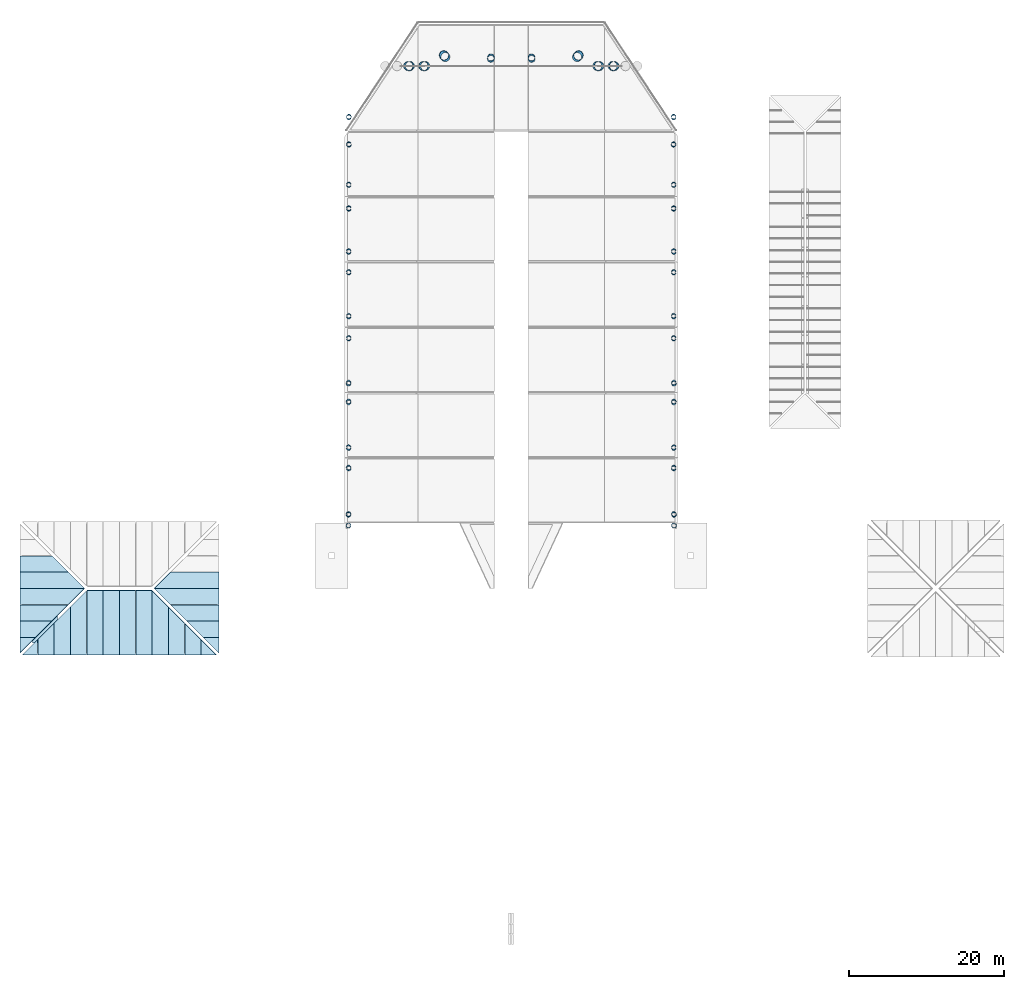
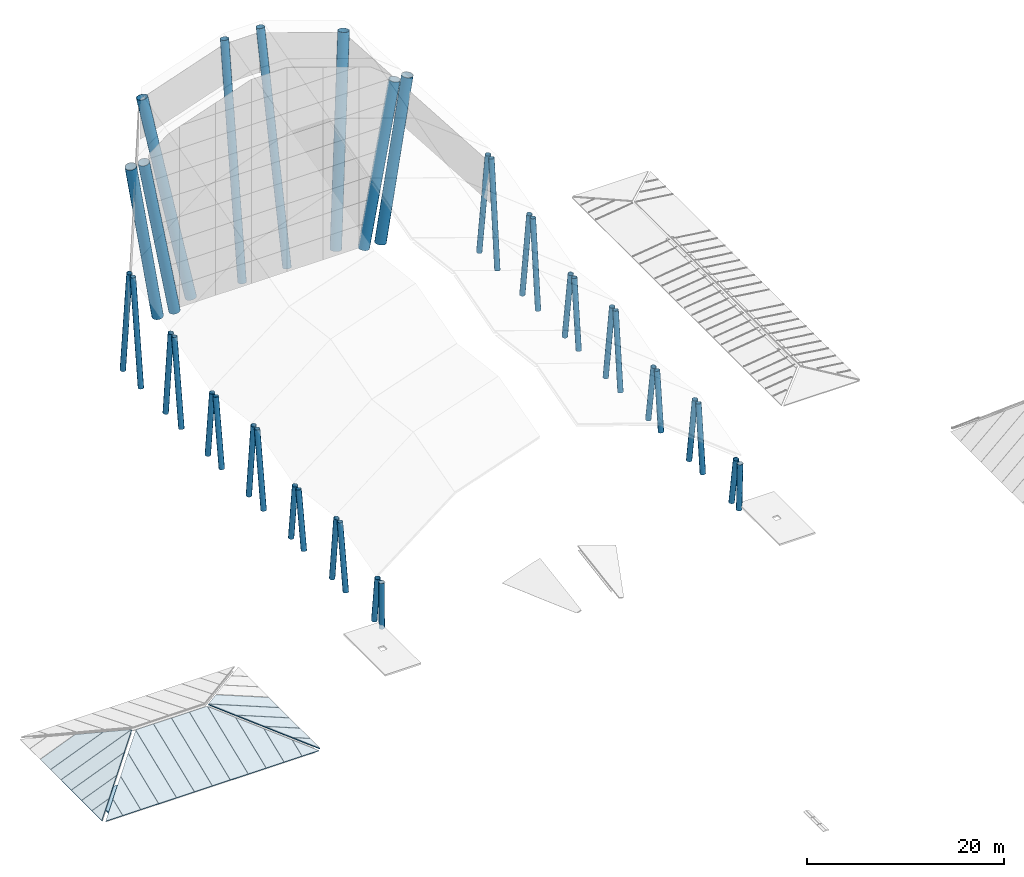
# One storey, part 1 of 8: 36 columns, 24 slabs.
"""IFC4 building model written with IfcOpenShell, lengths in metres."""

from ifc_helpers import new_model, si_unit, direction, frame, origin, origin_2d, place, context, subcontext, project, spatial, polyline, hollow_circle, outline, extrude, material, layer, layer_set, material_profile, profile_set, type_object, element, save


model = new_model("IFC4")

# Units and contexts
model_context = context("Model", 3, precision=1e-05, world=origin(), true_north=direction((0.0, 1.0)))
body_context = subcontext(model_context, "Body", "Model", "MODEL_VIEW")
ifc_project = project(units=[si_unit("LENGTHUNIT", "METRE"), si_unit("AREAUNIT", "SQUARE_METRE"), si_unit("VOLUMEUNIT", "CUBIC_METRE"), si_unit("PLANEANGLEUNIT", "RADIAN"), si_unit("MASSUNIT", "GRAM", prefix="KILO")], contexts=[model_context])

# Site, building, storey
site_placement = place(None, origin())
site = spatial("IfcSite", under=ifc_project, at=site_placement, CompositionType="ELEMENT")
building_placement = place(site_placement, origin())
building = spatial("IfcBuilding", under=site, at=building_placement, Name="Sava Quay Ferry Terminal", CompositionType="ELEMENT")
storey_placement = place(building_placement, frame((0.0, 0.0, 18.0)))
storey = spatial("IfcBuildingStorey", under=building, at=storey_placement, Name="ROOF", CompositionType="ELEMENT", Elevation=18.0)

# Columns
ifc_material_1 = material(Name="Steel S355", Category="steel")
ifc_material_profile_1 = material_profile(ifc_material_1, hollow_circle(Radius=0.609619140625, WallThickness=0.0400390625, at=origin_2d()), Name="CHS 1219 x 40.0")
ifc_profile_set_1 = profile_set([ifc_material_profile_1], Name="Steel S355")
column_type_1 = type_object("IfcColumnType", Name="V column CHS 1219x40", PredefinedType="COLUMN", material=ifc_profile_set_1)
column_1_placement = place(storey_placement, frame((49.9482421875, 109.199951171875, -0.35009765625), z_axis=(-0.158579048022, 0.0, 0.987346284506), x_axis=(0.0, -1.0, 0.0)))
element("IfcColumn", 1, at=column_1_placement, inside=storey, type_object=column_type_1, Name="Departure hall prow V column D-PV7H0a part 5", PredefinedType="COLUMN", context=body_context, shape_type="SweptSolid", body=[
    extrude(hollow_circle(Radius=0.609619140625, WallThickness=0.0400390625, at=origin_2d()), origin(), (0.0, 0.0, 1.0), 19.866455078125),
])
for number, where, z_axis, x_axis, name in (
    (2, (51.914794921875, 109.199951171875, -0.35009765625), (-0.180416108092, 0.0, 0.983590376092), (0.0, -1.0, 0.0), "Departure hall prow V column D-PV7H0b part 5"),
    (3, (74.085205078125, 109.199951171875, -0.35009765625), (0.180416108092, 0.0, 0.983590376092), (0.0, 1.0, 0.0), "Departure hall prow V column D-PV7H1a part 5"),
):
    element("IfcColumn", number, at=place(storey_placement, frame(where, z_axis=z_axis, x_axis=x_axis)), inside=storey, type_object=column_type_1, Name=name, PredefinedType="COLUMN", context=body_context, shape_type="SweptSolid", body=[
        extrude(hollow_circle(Radius=0.609619140625, WallThickness=0.0400390625, at=origin_2d()), origin(), (0.0, 0.0, 1.0), 19.942138671875),
    ])
column_2_placement = place(storey_placement, frame((76.0517578125, 109.199951171875, -0.35009765625), z_axis=(0.158579048022, 0.0, 0.987346284506), x_axis=(0.0, 1.0, 0.0)))
element("IfcColumn", 4, at=column_2_placement, inside=storey, type_object=column_type_1, Name="Departure hall prow V column D-PV7H1b part 5", PredefinedType="COLUMN", context=body_context, shape_type="SweptSolid", body=[
    extrude(hollow_circle(Radius=0.609619140625, WallThickness=0.0400390625, at=origin_2d()), origin(), (0.0, 0.0, 1.0), 19.866455078125),
])
for number, where, z_axis, x_axis, name in (
    (5, (54.510498046875, 110.3671875, -0.35009765625), (-0.138035982833, 0.17283949322, 0.97522949967), (-0.781388136646, -0.624045334819, 0.0), "Departure hall prow V column D-PVTa part 5"),
    (6, (71.489501953125, 110.3671875, -0.35009765625), (0.138035982833, 0.17283949322, 0.97522949967), (-0.781388136646, 0.624045334819, 0.0), "Departure hall prow V column D-PVTb part 5"),
):
    element("IfcColumn", number, at=place(storey_placement, frame(where, z_axis=z_axis, x_axis=x_axis)), inside=storey, type_object=column_type_1, Name=name, PredefinedType="COLUMN", context=body_context, shape_type="SweptSolid", body=[
        extrude(hollow_circle(Radius=0.609619140625, WallThickness=0.0400390625, at=origin_2d()), origin(), (0.0, 0.0, 1.0), 24.039794921875),
    ])
ifc_material_2 = material(Name="Steel S355", Category="steel")
ifc_material_profile_2 = material_profile(ifc_material_2, hollow_circle(Radius=0.304931640625, WallThickness=0.02001953125, at=origin_2d()), Name="CHS 610 x 20.0")
ifc_profile_set_2 = profile_set([ifc_material_profile_2], Name="Steel S355")
column_type_2 = type_object("IfcColumnType", Name="V column CHS 610x20", PredefinedType="COLUMN", material=ifc_profile_set_2)
column_3_placement = place(storey_placement, frame((42.069580078125, 50.079833984375, -0.35009765625), z_axis=(-0.012098278874, -0.016852690221, 0.999784786082), x_axis=(0.812348589299, -0.583172161084, 0.0)))
element("IfcColumn", 7, at=column_3_placement, inside=storey, type_object=column_type_2, Name="Departure hall V column D-VL0a part 5", PredefinedType="COLUMN", context=body_context, shape_type="SweptSolid", body=[
    extrude(hollow_circle(Radius=0.304931640625, WallThickness=0.02001953125, at=origin_2d()), origin(), (0.0, 0.0, 1.0), 5.751220703125),
])
column_4_placement = place(storey_placement, frame((42.069580078125, 51.60302734375, -0.35009765625), z_axis=(-0.011988487769, -0.13544887936, 0.990711803322), x_axis=(0.996105914947, -0.088164653963, 0.0)))
element("IfcColumn", 8, at=column_4_placement, inside=storey, type_object=column_type_2, Name="Departure hall V column D-VL0b part 5", PredefinedType="COLUMN", context=body_context, shape_type="SweptSolid", body=[
    extrude(hollow_circle(Radius=0.304931640625, WallThickness=0.02001953125, at=origin_2d()), origin(), (0.0, 0.0, 1.0), 5.803955078125),
])
for number, where, z_axis, x_axis, name in (
    (9, (42.08984375, 57.413330078125, -0.35009765625), (-0.010993003042, 0.12600132291, 0.991969163084), (-0.996215732704, -0.086914980947, 0.0), "Departure hall V column D-VL1a part 5"),
    (10, (42.08984375, 60.186767578125, -0.35009765625), (-0.010993003042, -0.12600132291, 0.991969163084), (0.996215732704, -0.086914980947, 0.0), "Departure hall V column D-VL1b part 5"),
):
    element("IfcColumn", number, at=place(storey_placement, frame(where, z_axis=z_axis, x_axis=x_axis)), inside=storey, type_object=column_type_2, Name=name, PredefinedType="COLUMN", context=body_context, shape_type="SweptSolid", body=[
        extrude(hollow_circle(Radius=0.304931640625, WallThickness=0.02001953125, at=origin_2d()), origin(), (0.0, 0.0, 1.0), 8.1728515625),
    ])
column_5_placement = place(storey_placement, frame((42.081298828125, 65.911376953125, -0.35009765625), z_axis=(-0.011408605664, 0.131010534714, 0.991315330009), x_axis=(-0.996229827335, -0.086753277328, 0.0)))
element("IfcColumn", 11, at=column_5_placement, inside=storey, type_object=column_type_2, Name="Departure hall V column D-VL2a part 5", PredefinedType="COLUMN", context=body_context, shape_type="SweptSolid", body=[
    extrude(hollow_circle(Radius=0.304931640625, WallThickness=0.02001953125, at=origin_2d()), origin(), (0.0, 0.0, 1.0), 7.1259765625),
])
column_6_placement = place(storey_placement, frame((42.081298828125, 68.48876953125, -0.35009765625), z_axis=(-0.011408554451, -0.131044206533, 0.991310880007), x_axis=(0.996231787283, -0.086730767363, 0.0)))
element("IfcColumn", 12, at=column_6_placement, inside=storey, type_object=column_type_2, Name="Departure hall V column D-VL2b part 5", PredefinedType="COLUMN", context=body_context, shape_type="SweptSolid", body=[
    extrude(hollow_circle(Radius=0.304931640625, WallThickness=0.02001953125, at=origin_2d()), origin(), (0.0, 0.0, 1.0), 7.126220703125),
])
for number, where, z_axis, x_axis, name in (
    (13, (42.099365234375, 74.10302734375, -0.35009765625), (-0.01046981838, 0.120338600443, 0.992677693991), (-0.9962365916, -0.086675564938, 0.0), "Departure hall V column D-VL3a part 5"),
    (14, (42.099365234375, 77.096923828125, -0.35009765625), (-0.010469850787, -0.12031324848, 0.992680766644), (0.99623499118, -0.086693957967, 0.0), "Departure hall V column D-VL3b part 5"),
):
    element("IfcColumn", number, at=place(storey_placement, frame(where, z_axis=z_axis, x_axis=x_axis)), inside=storey, type_object=column_type_2, Name=name, PredefinedType="COLUMN", context=body_context, shape_type="SweptSolid", body=[
        extrude(hollow_circle(Radius=0.304931640625, WallThickness=0.02001953125, at=origin_2d()), origin(), (0.0, 0.0, 1.0), 9.49072265625),
    ])
for number, where, z_axis, x_axis, name in (
    (15, (42.091796875, 82.5908203125, -0.35009765625), (-0.01086906076, 0.124820756278, 0.992119772165), (-0.996230192335, -0.086749085761, 0.0), "Departure hall V column D-VL4a part 5"),
    (16, (42.091796875, 85.4091796875, -0.35009765625), (-0.01086906076, -0.124820756278, 0.992119772165), (0.996230192335, -0.086749085761, 0.0), "Departure hall V column D-VL4b part 5"),
):
    element("IfcColumn", number, at=place(storey_placement, frame(where, z_axis=z_axis, x_axis=x_axis)), inside=storey, type_object=column_type_2, Name=name, PredefinedType="COLUMN", context=body_context, shape_type="SweptSolid", body=[
        extrude(hollow_circle(Radius=0.304931640625, WallThickness=0.02001953125, at=origin_2d()), origin(), (0.0, 0.0, 1.0), 8.44580078125),
    ])
for number, where, z_axis, x_axis, name in (
    (17, (42.10791015625, 90.8056640625, -0.35009765625), (-0.010038880534, 0.115288139343, 0.99328136286), (-0.996230270896, -0.086748183557, 0.0), "Departure hall V column D-VL5a part 5"),
    (18, (42.10791015625, 93.994384765625, -0.35009765625), (-0.010038854245, -0.115310549776, 0.993278761736), (0.99623174739, -0.086731225595, 0.0), "Departure hall V column D-VL5b part 5"),
):
    element("IfcColumn", number, at=place(storey_placement, frame(where, z_axis=z_axis, x_axis=x_axis)), inside=storey, type_object=column_type_2, Name=name, PredefinedType="COLUMN", context=body_context, shape_type="SweptSolid", body=[
        extrude(hollow_circle(Radius=0.304931640625, WallThickness=0.02001953125, at=origin_2d()), origin(), (0.0, 0.0, 1.0), 10.749267578125),
    ])
column_7_placement = place(storey_placement, frame((42.121826171875, 99.047119140625, -0.35009765625), z_axis=(-0.009334797227, 0.107116330499, 0.994202672145), x_axis=(-0.996224249448, -0.086817307103, 0.0)))
element("IfcColumn", 19, at=column_7_placement, inside=storey, type_object=column_type_2, Name="Departure hall V column D-VL6a part 5", PredefinedType="COLUMN", context=body_context, shape_type="SweptSolid", body=[
    extrude(hollow_circle(Radius=0.304931640625, WallThickness=0.02001953125, at=origin_2d()), origin(), (0.0, 0.0, 1.0), 13.05078125),
])
column_8_placement = place(storey_placement, frame((42.121826171875, 102.71533203125, -0.35009765625), z_axis=(-0.009321663649, -0.119388281327, 0.992803880365), x_axis=(0.996965736392, -0.077841637061, 0.0)))
element("IfcColumn", 20, at=column_8_placement, inside=storey, type_object=column_type_2, Name="Departure hall V column D-VL6b part 5", PredefinedType="COLUMN", context=body_context, shape_type="SweptSolid", body=[
    extrude(hollow_circle(Radius=0.304931640625, WallThickness=0.02001953125, at=origin_2d()), origin(), (0.0, 0.0, 1.0), 13.069091796875),
])
column_9_placement = place(storey_placement, frame((83.930419921875, 50.079833984375, -0.35009765625), z_axis=(0.012098278874, -0.016852690221, 0.999784786082), x_axis=(0.812348589299, 0.583172161084, 0.0)))
element("IfcColumn", 21, at=column_9_placement, inside=storey, type_object=column_type_2, Name="Departure hall V column D-VR0a part 5", PredefinedType="COLUMN", context=body_context, shape_type="SweptSolid", body=[
    extrude(hollow_circle(Radius=0.304931640625, WallThickness=0.02001953125, at=origin_2d()), origin(), (0.0, 0.0, 1.0), 5.751220703125),
])
column_10_placement = place(storey_placement, frame((83.930419921875, 51.60302734375, -0.35009765625), z_axis=(0.011988487769, -0.13544887936, 0.990711803322), x_axis=(0.996105914947, 0.088164653963, 0.0)))
element("IfcColumn", 22, at=column_10_placement, inside=storey, type_object=column_type_2, Name="Departure hall V column D-VR0b part 5", PredefinedType="COLUMN", context=body_context, shape_type="SweptSolid", body=[
    extrude(hollow_circle(Radius=0.304931640625, WallThickness=0.02001953125, at=origin_2d()), origin(), (0.0, 0.0, 1.0), 5.803955078125),
])
for number, where, z_axis, x_axis, name in (
    (23, (83.91015625, 57.413330078125, -0.35009765625), (0.010993003042, 0.12600132291, 0.991969163084), (-0.996215732704, 0.086914980947, 0.0), "Departure hall V column D-VR1a part 5"),
    (24, (83.91015625, 60.186767578125, -0.35009765625), (0.010993003042, -0.12600132291, 0.991969163084), (0.996215732704, 0.086914980947, 0.0), "Departure hall V column D-VR1b part 5"),
):
    element("IfcColumn", number, at=place(storey_placement, frame(where, z_axis=z_axis, x_axis=x_axis)), inside=storey, type_object=column_type_2, Name=name, PredefinedType="COLUMN", context=body_context, shape_type="SweptSolid", body=[
        extrude(hollow_circle(Radius=0.304931640625, WallThickness=0.02001953125, at=origin_2d()), origin(), (0.0, 0.0, 1.0), 8.1728515625),
    ])
column_11_placement = place(storey_placement, frame((83.918701171875, 65.911376953125, -0.35009765625), z_axis=(0.011408605664, 0.131010534714, 0.991315330009), x_axis=(-0.996229827335, 0.086753277328, 0.0)))
element("IfcColumn", 25, at=column_11_placement, inside=storey, type_object=column_type_2, Name="Departure hall V column D-VR2a part 5", PredefinedType="COLUMN", context=body_context, shape_type="SweptSolid", body=[
    extrude(hollow_circle(Radius=0.304931640625, WallThickness=0.02001953125, at=origin_2d()), origin(), (0.0, 0.0, 1.0), 7.1259765625),
])
column_12_placement = place(storey_placement, frame((83.918701171875, 68.48876953125, -0.35009765625), z_axis=(0.011408554451, -0.131044206533, 0.991310880007), x_axis=(0.996231787283, 0.086730767363, 0.0)))
element("IfcColumn", 26, at=column_12_placement, inside=storey, type_object=column_type_2, Name="Departure hall V column D-VR2b part 5", PredefinedType="COLUMN", context=body_context, shape_type="SweptSolid", body=[
    extrude(hollow_circle(Radius=0.304931640625, WallThickness=0.02001953125, at=origin_2d()), origin(), (0.0, 0.0, 1.0), 7.126220703125),
])
for number, where, z_axis, x_axis, name in (
    (27, (83.900634765625, 74.10302734375, -0.35009765625), (0.01046981838, 0.120338600443, 0.992677693991), (-0.9962365916, 0.086675564938, 0.0), "Departure hall V column D-VR3a part 5"),
    (28, (83.900634765625, 77.096923828125, -0.35009765625), (0.010469850787, -0.12031324848, 0.992680766644), (0.99623499118, 0.086693957967, 0.0), "Departure hall V column D-VR3b part 5"),
):
    element("IfcColumn", number, at=place(storey_placement, frame(where, z_axis=z_axis, x_axis=x_axis)), inside=storey, type_object=column_type_2, Name=name, PredefinedType="COLUMN", context=body_context, shape_type="SweptSolid", body=[
        extrude(hollow_circle(Radius=0.304931640625, WallThickness=0.02001953125, at=origin_2d()), origin(), (0.0, 0.0, 1.0), 9.49072265625),
    ])
for number, where, z_axis, x_axis, name in (
    (29, (83.908203125, 82.5908203125, -0.35009765625), (0.01086906076, 0.124820756278, 0.992119772165), (-0.996230192335, 0.086749085761, 0.0), "Departure hall V column D-VR4a part 5"),
    (30, (83.908203125, 85.4091796875, -0.35009765625), (0.01086906076, -0.124820756278, 0.992119772165), (0.996230192335, 0.086749085761, 0.0), "Departure hall V column D-VR4b part 5"),
):
    element("IfcColumn", number, at=place(storey_placement, frame(where, z_axis=z_axis, x_axis=x_axis)), inside=storey, type_object=column_type_2, Name=name, PredefinedType="COLUMN", context=body_context, shape_type="SweptSolid", body=[
        extrude(hollow_circle(Radius=0.304931640625, WallThickness=0.02001953125, at=origin_2d()), origin(), (0.0, 0.0, 1.0), 8.44580078125),
    ])
for number, where, z_axis, x_axis, name in (
    (31, (83.89208984375, 90.8056640625, -0.35009765625), (0.010038880534, 0.115288139343, 0.99328136286), (-0.996230270896, 0.086748183557, 0.0), "Departure hall V column D-VR5a part 5"),
    (32, (83.89208984375, 93.994384765625, -0.35009765625), (0.010038854245, -0.115310549776, 0.993278761736), (0.99623174739, 0.086731225595, 0.0), "Departure hall V column D-VR5b part 5"),
):
    element("IfcColumn", number, at=place(storey_placement, frame(where, z_axis=z_axis, x_axis=x_axis)), inside=storey, type_object=column_type_2, Name=name, PredefinedType="COLUMN", context=body_context, shape_type="SweptSolid", body=[
        extrude(hollow_circle(Radius=0.304931640625, WallThickness=0.02001953125, at=origin_2d()), origin(), (0.0, 0.0, 1.0), 10.749267578125),
    ])
column_13_placement = place(storey_placement, frame((83.878173828125, 99.047119140625, -0.35009765625), z_axis=(0.009334797227, 0.107116330499, 0.994202672145), x_axis=(-0.996224249448, 0.086817307103, 0.0)))
element("IfcColumn", 33, at=column_13_placement, inside=storey, type_object=column_type_2, Name="Departure hall V column D-VR6a part 5", PredefinedType="COLUMN", context=body_context, shape_type="SweptSolid", body=[
    extrude(hollow_circle(Radius=0.304931640625, WallThickness=0.02001953125, at=origin_2d()), origin(), (0.0, 0.0, 1.0), 13.05078125),
])
column_14_placement = place(storey_placement, frame((83.878173828125, 102.71533203125, -0.35009765625), z_axis=(0.009321663649, -0.119388281327, 0.992803880365), x_axis=(0.996965736392, 0.077841637061, 0.0)))
element("IfcColumn", 34, at=column_14_placement, inside=storey, type_object=column_type_2, Name="Departure hall V column D-VR6b part 5", PredefinedType="COLUMN", context=body_context, shape_type="SweptSolid", body=[
    extrude(hollow_circle(Radius=0.304931640625, WallThickness=0.02001953125, at=origin_2d()), origin(), (0.0, 0.0, 1.0), 13.069091796875),
])
ifc_material_3 = material(Name="Steel S355", Category="steel")
ifc_material_profile_3 = material_profile(ifc_material_3, hollow_circle(Radius=0.45703125, WallThickness=0.030029296875, at=origin_2d()), Name="CHS 914 x 30.0")
ifc_profile_set_3 = profile_set([ifc_material_profile_3], Name="Steel S355")
column_type_3 = type_object("IfcColumnType", Name="V column CHS 914x30", PredefinedType="COLUMN", material=ifc_profile_set_3)
for number, where, z_axis, x_axis, name in (
    (35, (60.369873046875, 110.122314453125, -0.35009765625), (0.0191915232, 0.162133453254, 0.98658219565), (-0.993067195464, 0.117548055251, 0.0), "Departure hall prow V column D-PVMa2.1 part 5"),
    (36, (65.630126953125, 110.122314453125, -0.35009765625), (-0.0191915232, 0.162133453254, 0.98658219565), (-0.993067195464, -0.117548055251, 0.0), "Departure hall prow V column D-PVMb2.1 part 5"),
):
    element("IfcColumn", number, at=place(storey_placement, frame(where, z_axis=z_axis, x_axis=x_axis)), inside=storey, type_object=column_type_3, Name=name, PredefinedType="COLUMN", context=body_context, shape_type="SweptSolid", body=[
        extrude(hollow_circle(Radius=0.45703125, WallThickness=0.030029296875, at=origin_2d()), origin(), (0.0, 0.0, 1.0), 27.617919921875),
    ])

# Slabs
ifc_material_4 = material(Name="Concrete C35/45", Category="concrete")
ifc_layer_1 = layer(ifc_material_4, 0.199951171875)
ifc_layer_set_1 = layer_set([ifc_layer_1], Name="Concrete C35/45")
slab_type_1 = type_object("IfcSlabType", Name="RC core roof slab 200", PredefinedType="ROOF", material=ifc_layer_set_1)
slab_1_placement = place(storey_placement, frame((0.0, 0.0, -0.070068359375)))
element("IfcSlab", 37, at=slab_1_placement, inside=storey, type_object=slab_type_1, Name="Core roof slab LF-W1", PredefinedType="ROOF", context=body_context, shape_type="SweptSolid", body=[
    extrude(outline(polyline([(1.39990234375, 35.0), (4.60009765625, 35.0), (4.60009765625, 38.800048828125), (1.39990234375, 38.800048828125), (1.39990234375, 35.0)])), origin(), (0.0, 0.0, 1.0), 0.199951171875),
])
ifc_material_5 = material(Name="Cross laminated timber C24", Category="wood")
ifc_layer_2 = layer(ifc_material_5, 0.10009765625)
ifc_layer_set_2 = layer_set([ifc_layer_2], Name="Cross laminated timber C24")
slab_type_2 = type_object("IfcSlabType", Name="Roof deck CLT 100", PredefinedType="ROOF", material=ifc_layer_set_2)
slab_2_placement = place(storey_placement, frame((2.090087890625, 35.397705078125, 1.271728515625), z_axis=(0.0, -0.37456914041, 0.927198985683), x_axis=(0.0, -0.927198985683, -0.37456914041)))
element("IfcSlab", 38, at=slab_2_placement, inside=storey, type_object=slab_type_2, Name="West pavilion roof deck WH-S", PredefinedType="ROOF", context=body_context, shape_type="SweptSolid", body=[
    extrude(outline(polyline([(0.0, 0.0), (2.130703298865035, 0.0), (2.130703298865035, -1.9755859375), (0.0, 0.0)])), origin(), (0.0, 0.0, -1.0), 0.10009765625),
])
slab_3_placement = place(storey_placement, frame((4.18994140625, 37.49755859375, 2.120361328125), z_axis=(-5.840357e-05, -0.374609151986, 0.927182818994), x_axis=(-1.614e-09, -0.927182820575, -0.374609152625)))
element("IfcSlab", 39, at=slab_3_placement, inside=storey, type_object=slab_type_2, Name="West pavilion roof deck WH-S", PredefinedType="ROOF", context=body_context, shape_type="SweptSolid", body=[
    extrude(outline(polyline([(0.0, 0.0), (4.395557021073145, 0.0), (4.39555702442992, -2.079833980827867), (2.243273870780375, -2.0798339913958386), (0.0, 0.0)])), origin(), (0.0, 0.0, -1.0), 0.10009765625),
])
slab_4_placement = place(storey_placement, frame((6.2900390625, 39.59765625, 2.96875), z_axis=(2.3306461e-05, -0.37461827703, 0.927179133702), x_axis=(-1.7e-10, -0.927179133953, -0.374618277132)))
element("IfcSlab", 40, at=slab_4_placement, inside=storey, type_object=slab_type_2, Name="West pavilion roof deck WH-S", PredefinedType="ROOF", context=body_context, shape_type="SweptSolid", body=[
    extrude(outline(polyline([(0.0, 0.0), (6.660545650791338, 6.776263578034403e-21), (6.660545651144197, -2.08007812443506), (2.2434087726115655, -2.080078126314253), (0.0, 0.0)])), origin(), (0.0, 0.0, -1.0), 0.10009765625),
])
slab_5_placement = place(storey_placement, frame((8.389892578125, 41.697509765625, 3.817138671875), z_axis=(-4.272837e-06, -0.374608657813, 0.927183020484), x_axis=(-4e-12, -0.927183020492, -0.374608657816)))
element("IfcSlab", 41, at=slab_5_placement, inside=storey, type_object=slab_type_2, Name="West pavilion roof deck WH-S", PredefinedType="ROOF", context=body_context, shape_type="SweptSolid", body=[
    extrude(outline(polyline([(0.0, 0.0), (8.925307917821877, -1.6940658945086007e-21), (8.925307917830725, -2.079833984356014), (2.2431824101106304, -2.079833984422414), (0.0, 0.0)])), origin(), (0.0, 0.0, -1.0), 0.10009765625),
])
slab_6_placement = place(storey_placement, frame((8.421875, 41.7294921875, 3.830078125), z_axis=(-1.1014548e-05, -0.374611255629, 0.927181970831), x_axis=(0.999999999939, -4.126174e-06, 1.021249e-05)))
element("IfcSlab", 42, at=slab_6_placement, inside=storey, type_object=slab_type_2, Name="West pavilion roof deck WH-S", PredefinedType="ROOF", context=body_context, shape_type="SweptSolid", body=[
    extrude(outline(polyline([(0.0, 0.0), (2.068115234249548, 0.0), (2.0681152342480966, -8.959808707542166), (-0.011962890625725671, -8.959808707542166), (-0.011962891128985562, -0.012920933028937369), (0.0, 0.0)])), origin(), (0.0, 0.0, -1.0), 0.10009765625),
])
slab_7_placement = place(storey_placement, frame((12.590087890625, 41.7294921875, 3.830078125), z_axis=(0.0, -0.374611269287, 0.927181965379), x_axis=(0.0, -0.927181965379, -0.374611269287)))
element("IfcSlab", 43, at=slab_7_placement, inside=storey, type_object=slab_type_2, Name="West pavilion roof deck WH-S", PredefinedType="ROOF", context=body_context, shape_type="SweptSolid", body=[
    extrude(outline(polyline([(0.0, 0.0), (8.959808707542168, 0.0), (8.959808707542168, -2.080078125), (0.0, -2.080078125), (0.0, 0.0)])), origin(), (0.0, 0.0, -1.0), 0.10009765625),
])
slab_8_placement = place(storey_placement, frame((14.68994140625, 41.7294921875, 3.830078125), z_axis=(0.0, -0.374611269287, 0.927181965379), x_axis=(0.0, -0.927181965379, -0.374611269287)))
element("IfcSlab", 44, at=slab_8_placement, inside=storey, type_object=slab_type_2, Name="West pavilion roof deck WH-S", PredefinedType="ROOF", context=body_context, shape_type="SweptSolid", body=[
    extrude(outline(polyline([(0.0, 0.0), (8.959808707542168, 0.0), (8.959808707542168, -2.079833984375), (0.0, -2.079833984375), (0.0, 0.0)])), origin(), (0.0, 0.0, -1.0), 0.10009765625),
])
slab_9_placement = place(storey_placement, frame((16.778076171875, 41.7294921875, 3.830078125), z_axis=(1.1014548e-05, -0.374611255629, 0.927181970831), x_axis=(0.679379419167, -0.680351427401, -0.274891869733)))
element("IfcSlab", 45, at=slab_9_placement, inside=storey, type_object=slab_type_2, Name="West pavilion roof deck WH-S", PredefinedType="ROOF", context=body_context, shape_type="SweptSolid", body=[
    extrude(outline(polyline([(0.0, 0.0), (0.017608556854616056, -2.6020852139652106e-18), (6.582719979689848, -6.078331420340012), (5.16955771130516, -7.604666052323588), (-1.405034926700316, -1.5175564163770978), (0.0, 0.0)])), origin(), (0.0, 0.0, -1.0), 0.10009765625),
])
slab_10_placement = place(storey_placement, frame((18.889892578125, 39.61767578125, 2.976806640625), z_axis=(4.272837e-06, -0.374608657813, 0.927183020484), x_axis=(-6e-12, -0.927183020492, -0.374608657816)))
element("IfcSlab", 46, at=slab_10_placement, inside=storey, type_object=slab_type_2, Name="West pavilion roof deck WH-S", PredefinedType="ROOF", context=body_context, shape_type="SweptSolid", body=[
    extrude(outline(polyline([(0.0, 0.0), (6.6821255077200945, 1.6940658945086007e-21), (6.6821255077319135, -2.079833984356014), (-2.243182410089963, -2.0798339844447042), (0.0, 0.0)])), origin(), (0.0, 0.0, -1.0), 0.10009765625),
])
slab_11_placement = place(storey_placement, frame((20.989990234375, 37.517578125, 2.12841796875), z_axis=(-2.3306461e-05, -0.37461827703, 0.927179133702), x_axis=(-2.56e-10, -0.927179133953, -0.374618277132)))
element("IfcSlab", 47, at=slab_11_placement, inside=storey, type_object=slab_type_2, Name="West pavilion roof deck WH-S", PredefinedType="ROOF", context=body_context, shape_type="SweptSolid", body=[
    extrude(outline(polyline([(0.0, 0.0), (4.417136878532633, 1.3552527156068805e-20), (4.417136879064706, -2.08007812443506), (-2.2434087717266324, -2.080078127268672), (0.0, 0.0)])), origin(), (0.0, 0.0, -1.0), 0.10009765625),
])
slab_12_placement = place(storey_placement, frame((23.090087890625, 35.417724609375, 1.27978515625), z_axis=(5.8396715e-05, -0.374609151986, 0.927182818994), x_axis=(-3.296e-09, -0.927182820575, -0.374609152625)))
element("IfcSlab", 48, at=slab_12_placement, inside=storey, type_object=slab_type_2, Name="West pavilion roof deck WH-S", PredefinedType="ROOF", context=body_context, shape_type="SweptSolid", body=[
    extrude(outline(polyline([(0.0, 0.0), (2.152283153649545, 0.0), (2.152283160505007, -2.0800781214532833), (-2.243273860568138, -2.0800781430334676), (0.0, 0.0)])), origin(), (0.0, 0.0, -1.0), 0.10009765625),
])
slab_13_placement = place(storey_placement, frame((25.08544921875, 33.422119140625, 0.4736328125), z_axis=(0.0, -0.37456914041, 0.927198985683), x_axis=(-1.0, 0.0, 0.0)))
element("IfcSlab", 49, at=slab_13_placement, inside=storey, type_object=slab_type_2, Name="West pavilion roof deck WH-S", PredefinedType="ROOF", context=body_context, shape_type="SweptSolid", body=[
    extrude(outline(polyline([(0.0, 0.0), (1.975341796875, 0.0), (1.975341796875, -2.130703298865035), (0.0, 0.0)])), origin(), (0.0, 0.0, -1.0), 0.10009765625),
])
slab_14_placement = place(storey_placement, frame((23.40234375, 35.68994140625, 1.271728515625), z_axis=(0.37456914041, 0.0, 0.927198985683), x_axis=(0.927198985683, 0.0, -0.37456914041)))
element("IfcSlab", 50, at=slab_14_placement, inside=storey, type_object=slab_type_2, Name="West pavilion roof deck WH-E", PredefinedType="ROOF", context=body_context, shape_type="SweptSolid", body=[
    extrude(outline(polyline([(0.0, 0.0), (2.130703298865035, 0.0), (2.130703298865035, -1.975341796875), (0.0, 0.0)])), origin(), (0.0, 0.0, -1.0), 0.10009765625),
])
slab_15_placement = place(storey_placement, frame((21.302490234375, 37.7900390625, 2.120361328125), z_axis=(0.374609151986, -5.8396715e-05, 0.927182818994), x_axis=(0.927182820575, -1.614e-09, -0.374609152625)))
element("IfcSlab", 51, at=slab_15_placement, inside=storey, type_object=slab_type_2, Name="West pavilion roof deck WH-E", PredefinedType="ROOF", context=body_context, shape_type="SweptSolid", body=[
    extrude(outline(polyline([(0.0, 0.0), (4.395557021073145, 0.0), (4.39555702442992, -2.0800781214532833), (2.243273870780375, -2.0800781320200143), (0.0, 0.0)])), origin(), (0.0, 0.0, -1.0), 0.10009765625),
])
slab_16_placement = place(storey_placement, frame((19.202392578125, 39.889892578125, 2.96875), z_axis=(0.37461827703, 2.3309197e-05, 0.927179133702), x_axis=(0.927179133953, -1.7e-10, -0.374618277132)))
element("IfcSlab", 52, at=slab_16_placement, inside=storey, type_object=slab_type_2, Name="West pavilion roof deck WH-E", PredefinedType="ROOF", context=body_context, shape_type="SweptSolid", body=[
    extrude(outline(polyline([(0.0, 0.0), (6.660545650791338, 6.776263578034403e-21), (6.660545651144198, -2.0798339838099937), (2.243408772611565, -2.0798339856894072), (0.0, 0.0)])), origin(), (0.0, 0.0, -1.0), 0.10009765625),
])
slab_17_placement = place(storey_placement, frame((17.102294921875, 41.989990234375, 3.817138671875), z_axis=(0.374603224697, 1.4551801e-05, 0.927185215496), x_axis=(0.927185215594, -4.9e-11, -0.374603224737)))
element("IfcSlab", 53, at=slab_17_placement, inside=storey, type_object=slab_type_2, Name="West pavilion roof deck WH-E", PredefinedType="ROOF", context=body_context, shape_type="SweptSolid", body=[
    extrude(outline(polyline([(0.0, 0.0), (8.925534281194594, -1.3552527156068805e-20), (8.925534281297244, -2.0800781247797664), (2.2434087736397967, -2.08007812554999), (0.0, 0.0)])), origin(), (0.0, 0.0, -1.0), 0.10009765625),
])
slab_18_placement = place(storey_placement, frame((19.182373046875, 44.090087890625, 2.976806640625), z_axis=(0.374603224697, -1.4551801e-05, 0.927185215496), x_axis=(0.927185215594, -6.6e-11, -0.374603224737)))
element("IfcSlab", 54, at=slab_18_placement, inside=storey, type_object=slab_type_2, Name="West pavilion roof deck WH-E", PredefinedType="ROOF", context=body_context, shape_type="SweptSolid", body=[
    extrude(outline(polyline([(0.0, 0.0), (6.682125507657448, 6.776263578034403e-21), (6.682125507794559, -2.0800781247797664), (-2.2434087734000343, -2.080078125808579), (0.0, 0.0)])), origin(), (0.0, 0.0, -1.0), 0.10009765625),
])
slab_19_placement = place(storey_placement, frame((5.99755859375, 44.110107421875, 2.96875), z_axis=(-0.374625932244, -5.774383e-06, 0.927176040921), x_axis=(-0.927176040936, 1e-11, -0.37462593225)))
element("IfcSlab", 55, at=slab_19_placement, inside=storey, type_object=slab_type_2, Name="West pavilion roof deck WH-W", PredefinedType="ROOF", context=body_context, shape_type="SweptSolid", body=[
    extrude(outline(polyline([(0.0, 0.0), (6.6603192888259395, 0.0), (6.660319288847595, -2.0798339843403255), (2.2431824100652533, -2.0798339844556666), (0.0, 0.0)])), origin(), (0.0, 0.0, -1.0), 0.10009765625),
])
slab_20_placement = place(storey_placement, frame((8.09765625, 42.010009765625, 3.817138671875), z_axis=(-0.374614090959, -2.0871772e-05, 0.927180825093), x_axis=(-0.927180825295, 1.02e-10, -0.374614091041)))
element("IfcSlab", 56, at=slab_20_placement, inside=storey, type_object=slab_type_2, Name="West pavilion roof deck WH-W", PredefinedType="ROOF", context=body_context, shape_type="SweptSolid", body=[
    extrude(outline(polyline([(0.0, 0.0), (8.925307917720708, 0.0), (8.92530791793189, -2.080078124546927), (2.2434087728847762, -2.0800781261314563), (0.0, 0.0)])), origin(), (0.0, 0.0, -1.0), 0.10009765625),
])
slab_21_placement = place(storey_placement, frame((6.017578125, 39.909912109375, 2.976806640625), z_axis=(-0.374614090959, 2.0871772e-05, 0.927180825093), x_axis=(-0.927180825295, 1.36e-10, -0.374614091041)))
element("IfcSlab", 57, at=slab_21_placement, inside=storey, type_object=slab_type_2, Name="West pavilion roof deck WH-W", PredefinedType="ROOF", context=body_context, shape_type="SweptSolid", body=[
    extrude(outline(polyline([(0.0, 0.0), (6.681899145047115, 0.0), (6.681899145329199, -2.0800781245469273), (-2.2434087723915117, -2.0800781266634534), (0.0, 0.0)])), origin(), (0.0, 0.0, -1.0), 0.10009765625),
])
slab_22_placement = place(storey_placement, frame((3.917724609375, 37.81005859375, 2.12841796875), z_axis=(-0.374625932244, 5.774383e-06, 0.927176040921), x_axis=(-0.927176040936, 1.6e-11, -0.37462593225)))
element("IfcSlab", 58, at=slab_22_placement, inside=storey, type_object=slab_type_2, Name="West pavilion roof deck WH-W", PredefinedType="ROOF", context=body_context, shape_type="SweptSolid", body=[
    extrude(outline(polyline([(0.0, 0.0), (4.417136878782342, -1.6940658945086007e-21), (4.417136878814995, -2.0798339843403255), (-2.243182410010944, -2.0798339845142415), (0.0, 0.0)])), origin(), (0.0, 0.0, -1.0), 0.10009765625),
])
slab_23_placement = place(storey_placement, frame((1.817626953125, 35.7099609375, 1.27978515625), z_axis=(-0.374622103356, -2.887989e-05, 0.927177587544), x_axis=(-0.92717758793, 8.06e-10, -0.374622103512)))
element("IfcSlab", 59, at=slab_23_placement, inside=storey, type_object=slab_type_2, Name="West pavilion roof deck WH-W", PredefinedType="ROOF", context=body_context, shape_type="SweptSolid", body=[
    extrude(outline(polyline([(0.0, 0.0), (2.1520567900270864, -3.3881317890172014e-21), (2.1520567917039455, -2.0800781241325574), (-2.2435002306370935, -2.0800781294109303), (0.0, 0.0)])), origin(), (0.0, 0.0, -1.0), 0.10009765625),
])
slab_24_placement = place(storey_placement, frame((-0.177734375, 33.714599609375, 0.4736328125), z_axis=(-0.374608938698, 0.0, 0.927182907008), x_axis=(0.0, 1.0, 0.0)))
element("IfcSlab", 60, at=slab_24_placement, inside=storey, type_object=slab_type_2, Name="West pavilion roof deck WH-W", PredefinedType="ROOF", context=body_context, shape_type="SweptSolid", body=[
    extrude(outline(polyline([(0.0, 0.0), (1.975341796875, 0.0), (1.975341796875, -2.1304769338877954), (0.0, 0.0)])), origin(), (0.0, 0.0, -1.0), 0.10009765625),
])

save(model, "model.ifc")
